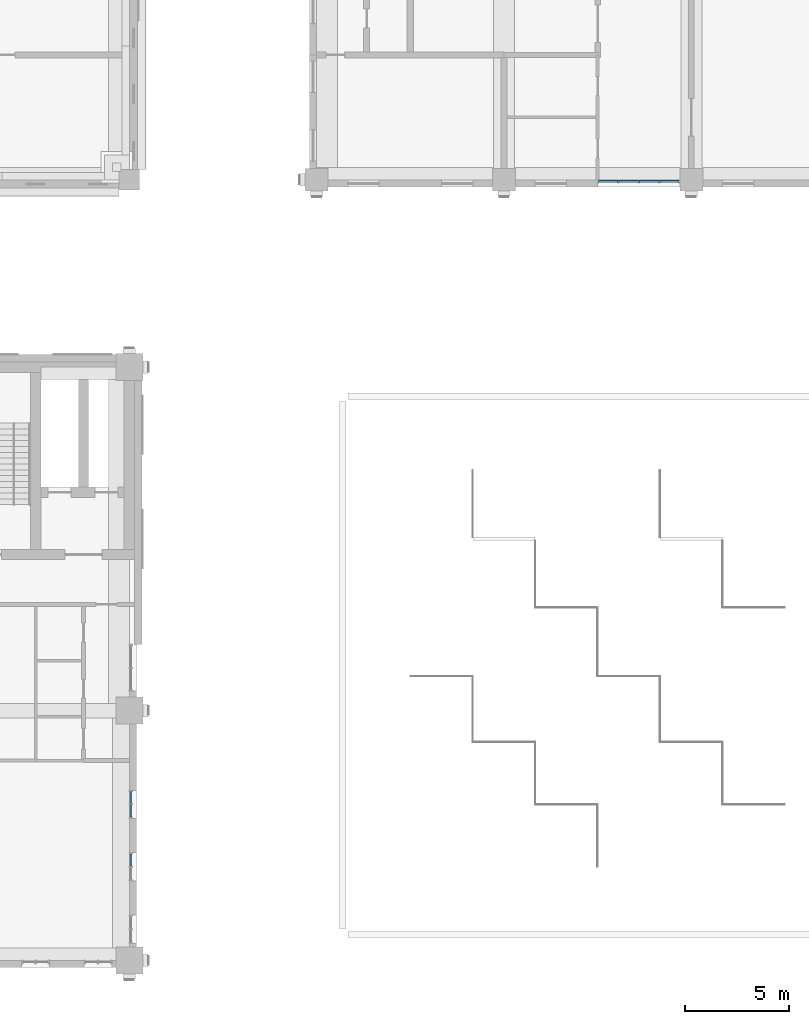
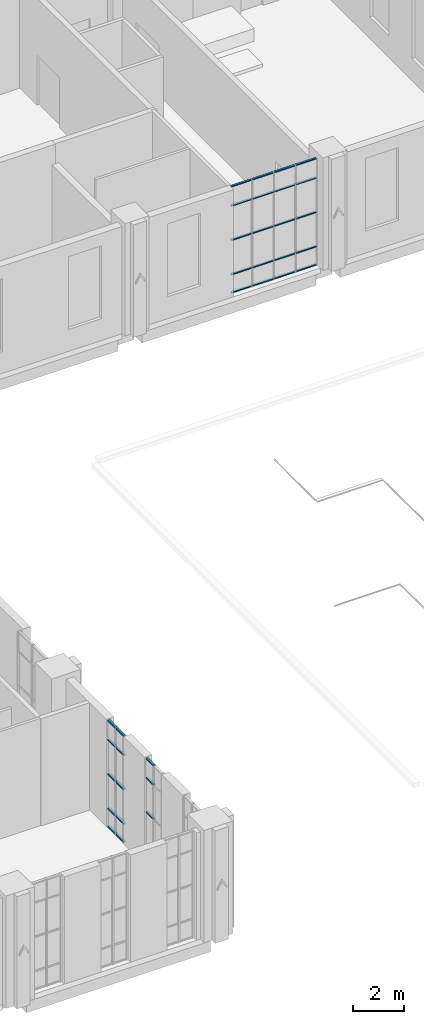
# One storey, part 11 of 37: 33 members, 3 elements without a shape of their own.
"""IFC4 building model written with IfcOpenShell, lengths in metres."""

from ifc_helpers import new_model, si_unit, direction, frame, origin, origin_2d, place, context, subcontext, project, spatial, rectangle, extrude, material, layer, layer_set, material_profile, profile_set, type_object, element, aggregate, save


model = new_model("IFC4")

# Units and contexts
model_context = context("Model", 3, precision=1e-05, world=origin(), true_north=direction((0.0, 1.0)))
body_context = subcontext(model_context, "Body", "Model", "MODEL_VIEW")
ifc_project = project(units=[si_unit("LENGTHUNIT", "METRE"), si_unit("AREAUNIT", "SQUARE_METRE"), si_unit("VOLUMEUNIT", "CUBIC_METRE"), si_unit("PLANEANGLEUNIT", "RADIAN"), si_unit("MASSUNIT", "GRAM", prefix="KILO")], contexts=[model_context])

# Site, building, storey
site_placement = place(None, origin())
site = spatial("IfcSite", under=ifc_project, at=site_placement, CompositionType="ELEMENT")
building_placement = place(site_placement, origin())
building = spatial("IfcBuilding", under=site, at=building_placement, Name="Aurelan Courthouse", CompositionType="ELEMENT")
storey_placement = place(building_placement, frame((0.0, 0.0, 17.39990234375)))
storey = spatial("IfcBuildingStorey", under=building, at=storey_placement, Name="L03", CompositionType="ELEMENT", Elevation=17.39990234375)

# Curtain wall, members
ifc_material_1 = material(Name="Bronze-finished aluminium and glass", Category="aluminium")
ifc_layer_1 = layer(ifc_material_1, 0.14990234375)
ifc_layer_set_1 = layer_set([ifc_layer_1], Name="Bronze-finished aluminium and glass")
curtain_wall_type_1 = type_object("IfcCurtainWallType", Name="Curtain wall 3950 x 5150", PredefinedType="NOTDEFINED", material=ifc_layer_set_1)
curtain_wall_1_placement = place(storey_placement, origin())
curtain_wall_1 = element("IfcCurtainWall", 1, at=curtain_wall_1_placement, inside=storey, type_object=curtain_wall_type_1, Name="Curtain wall CW-V2-L03-S01", PredefinedType="NOTDEFINED")
ifc_material_2 = material(Name="Bronze-finished aluminium", Category="aluminium")
ifc_material_profile_1 = material_profile(ifc_material_2, rectangle(XDim=0.090087890625, YDim=0.050048828125, at=origin_2d()), Name="Bronze transom 50 x 90")
ifc_profile_set_1 = profile_set([ifc_material_profile_1], Name="Bronze-finished aluminium")
member_type_1 = type_object("IfcMemberType", Name="Curtain wall transom 50 x 90", PredefinedType="USERDEFINED", material=ifc_profile_set_1)
member_1_placement = place(storey_placement, frame((49.550048828125, 37.425048828125, 0.025146484375), z_axis=(1.0, 0.0, 0.0), x_axis=(0.0, 1.0, 0.0)))
member_1 = element("IfcMember", 2, at=member_1_placement, type_object=member_type_1, Name="CW-V2-L03-S01 transom 1.1", ObjectType="TRANSOM", PredefinedType="USERDEFINED", context=body_context, shape_type="SweptSolid", body=[
    extrude(rectangle(XDim=0.090087890625, YDim=0.050048828125, at=origin_2d()), origin(), (0.0, 0.0, 1.0), 0.912353515625),
])
member_2_placement = place(storey_placement, frame((49.550048828125, 37.425048828125, 0.900146484375), z_axis=(1.0, 0.0, 0.0), x_axis=(0.0, 1.0, 0.0)))
member_2 = element("IfcMember", 3, at=member_2_placement, type_object=member_type_1, Name="CW-V2-L03-S01 transom 1.2", ObjectType="TRANSOM", PredefinedType="USERDEFINED", context=body_context, shape_type="SweptSolid", body=[
    extrude(rectangle(XDim=0.090087890625, YDim=0.050048828125, at=origin_2d()), origin(), (0.0, 0.0, 1.0), 0.912353515625),
])
member_3_placement = place(storey_placement, frame((49.550048828125, 37.425048828125, 2.550048828125), z_axis=(1.0, 0.0, 0.0), x_axis=(0.0, 1.0, 0.0)))
member_3 = element("IfcMember", 4, at=member_3_placement, type_object=member_type_1, Name="CW-V2-L03-S01 transom 1.3", ObjectType="TRANSOM", PredefinedType="USERDEFINED", context=body_context, shape_type="SweptSolid", body=[
    extrude(rectangle(XDim=0.090087890625, YDim=0.050048828125, at=origin_2d()), origin(), (0.0, 0.0, 1.0), 0.912353515625),
])
member_4_placement = place(storey_placement, frame((49.550048828125, 37.425048828125, 4.2001953125), z_axis=(1.0, 0.0, 0.0), x_axis=(0.0, 1.0, 0.0)))
member_4 = element("IfcMember", 5, at=member_4_placement, type_object=member_type_1, Name="CW-V2-L03-S01 transom 1.4", ObjectType="TRANSOM", PredefinedType="USERDEFINED", context=body_context, shape_type="SweptSolid", body=[
    extrude(rectangle(XDim=0.090087890625, YDim=0.050048828125, at=origin_2d()), origin(), (0.0, 0.0, 1.0), 0.912353515625),
])
member_5_placement = place(storey_placement, frame((49.550048828125, 37.425048828125, 5.125), z_axis=(1.0, 0.0, 0.0), x_axis=(0.0, 1.0, 0.0)))
member_5 = element("IfcMember", 6, at=member_5_placement, type_object=member_type_1, Name="CW-V2-L03-S01 transom 1.5", ObjectType="TRANSOM", PredefinedType="USERDEFINED", context=body_context, shape_type="SweptSolid", body=[
    extrude(rectangle(XDim=0.090087890625, YDim=0.050048828125, at=origin_2d()), origin(), (0.0, 0.0, 1.0), 0.912353515625),
])
member_6_placement = place(storey_placement, frame((50.512451171875, 37.425048828125, 0.025146484375), z_axis=(1.0, 0.0, 0.0), x_axis=(0.0, 1.0, 0.0)))
member_6 = element("IfcMember", 7, at=member_6_placement, type_object=member_type_1, Name="CW-V2-L03-S01 transom 2.1", ObjectType="TRANSOM", PredefinedType="USERDEFINED", context=body_context, shape_type="SweptSolid", body=[
    extrude(rectangle(XDim=0.090087890625, YDim=0.050048828125, at=origin_2d()), origin(), (0.0, 0.0, 1.0), 0.9375),
])
member_7_placement = place(storey_placement, frame((50.512451171875, 37.425048828125, 0.900146484375), z_axis=(1.0, 0.0, 0.0), x_axis=(0.0, 1.0, 0.0)))
member_7 = element("IfcMember", 8, at=member_7_placement, type_object=member_type_1, Name="CW-V2-L03-S01 transom 2.2", ObjectType="TRANSOM", PredefinedType="USERDEFINED", context=body_context, shape_type="SweptSolid", body=[
    extrude(rectangle(XDim=0.090087890625, YDim=0.050048828125, at=origin_2d()), origin(), (0.0, 0.0, 1.0), 0.9375),
])
member_8_placement = place(storey_placement, frame((50.512451171875, 37.425048828125, 2.550048828125), z_axis=(1.0, 0.0, 0.0), x_axis=(0.0, 1.0, 0.0)))
member_8 = element("IfcMember", 9, at=member_8_placement, type_object=member_type_1, Name="CW-V2-L03-S01 transom 2.3", ObjectType="TRANSOM", PredefinedType="USERDEFINED", context=body_context, shape_type="SweptSolid", body=[
    extrude(rectangle(XDim=0.090087890625, YDim=0.050048828125, at=origin_2d()), origin(), (0.0, 0.0, 1.0), 0.9375),
])
member_9_placement = place(storey_placement, frame((50.512451171875, 37.425048828125, 4.2001953125), z_axis=(1.0, 0.0, 0.0), x_axis=(0.0, 1.0, 0.0)))
member_9 = element("IfcMember", 10, at=member_9_placement, type_object=member_type_1, Name="CW-V2-L03-S01 transom 2.4", ObjectType="TRANSOM", PredefinedType="USERDEFINED", context=body_context, shape_type="SweptSolid", body=[
    extrude(rectangle(XDim=0.090087890625, YDim=0.050048828125, at=origin_2d()), origin(), (0.0, 0.0, 1.0), 0.9375),
])
member_10_placement = place(storey_placement, frame((50.512451171875, 37.425048828125, 5.125), z_axis=(1.0, 0.0, 0.0), x_axis=(0.0, 1.0, 0.0)))
member_10 = element("IfcMember", 11, at=member_10_placement, type_object=member_type_1, Name="CW-V2-L03-S01 transom 2.5", ObjectType="TRANSOM", PredefinedType="USERDEFINED", context=body_context, shape_type="SweptSolid", body=[
    extrude(rectangle(XDim=0.090087890625, YDim=0.050048828125, at=origin_2d()), origin(), (0.0, 0.0, 1.0), 0.9375),
])
member_11_placement = place(storey_placement, frame((51.5, 37.425048828125, 0.025146484375), z_axis=(1.0, 0.0, 0.0), x_axis=(0.0, 1.0, 0.0)))
member_11 = element("IfcMember", 12, at=member_11_placement, type_object=member_type_1, Name="CW-V2-L03-S01 transom 3.1", ObjectType="TRANSOM", PredefinedType="USERDEFINED", context=body_context, shape_type="SweptSolid", body=[
    extrude(rectangle(XDim=0.090087890625, YDim=0.050048828125, at=origin_2d()), origin(), (0.0, 0.0, 1.0), 0.9375),
])
member_12_placement = place(storey_placement, frame((51.5, 37.425048828125, 0.900146484375), z_axis=(1.0, 0.0, 0.0), x_axis=(0.0, 1.0, 0.0)))
member_12 = element("IfcMember", 13, at=member_12_placement, type_object=member_type_1, Name="CW-V2-L03-S01 transom 3.2", ObjectType="TRANSOM", PredefinedType="USERDEFINED", context=body_context, shape_type="SweptSolid", body=[
    extrude(rectangle(XDim=0.090087890625, YDim=0.050048828125, at=origin_2d()), origin(), (0.0, 0.0, 1.0), 0.9375),
])
member_13_placement = place(storey_placement, frame((51.5, 37.425048828125, 2.550048828125), z_axis=(1.0, 0.0, 0.0), x_axis=(0.0, 1.0, 0.0)))
member_13 = element("IfcMember", 14, at=member_13_placement, type_object=member_type_1, Name="CW-V2-L03-S01 transom 3.3", ObjectType="TRANSOM", PredefinedType="USERDEFINED", context=body_context, shape_type="SweptSolid", body=[
    extrude(rectangle(XDim=0.090087890625, YDim=0.050048828125, at=origin_2d()), origin(), (0.0, 0.0, 1.0), 0.9375),
])
member_14_placement = place(storey_placement, frame((51.5, 37.425048828125, 4.2001953125), z_axis=(1.0, 0.0, 0.0), x_axis=(0.0, 1.0, 0.0)))
member_14 = element("IfcMember", 15, at=member_14_placement, type_object=member_type_1, Name="CW-V2-L03-S01 transom 3.4", ObjectType="TRANSOM", PredefinedType="USERDEFINED", context=body_context, shape_type="SweptSolid", body=[
    extrude(rectangle(XDim=0.090087890625, YDim=0.050048828125, at=origin_2d()), origin(), (0.0, 0.0, 1.0), 0.9375),
])
member_15_placement = place(storey_placement, frame((51.5, 37.425048828125, 5.125), z_axis=(1.0, 0.0, 0.0), x_axis=(0.0, 1.0, 0.0)))
member_15 = element("IfcMember", 16, at=member_15_placement, type_object=member_type_1, Name="CW-V2-L03-S01 transom 3.5", ObjectType="TRANSOM", PredefinedType="USERDEFINED", context=body_context, shape_type="SweptSolid", body=[
    extrude(rectangle(XDim=0.090087890625, YDim=0.050048828125, at=origin_2d()), origin(), (0.0, 0.0, 1.0), 0.9375),
])
member_16_placement = place(storey_placement, frame((52.487548828125, 37.425048828125, 0.025146484375), z_axis=(1.0, 0.0, 0.0), x_axis=(0.0, 1.0, 0.0)))
member_16 = element("IfcMember", 17, at=member_16_placement, type_object=member_type_1, Name="CW-V2-L03-S01 transom 4.1", ObjectType="TRANSOM", PredefinedType="USERDEFINED", context=body_context, shape_type="SweptSolid", body=[
    extrude(rectangle(XDim=0.090087890625, YDim=0.050048828125, at=origin_2d()), origin(), (0.0, 0.0, 1.0), 0.912353515625),
])
member_17_placement = place(storey_placement, frame((52.487548828125, 37.425048828125, 0.900146484375), z_axis=(1.0, 0.0, 0.0), x_axis=(0.0, 1.0, 0.0)))
member_17 = element("IfcMember", 18, at=member_17_placement, type_object=member_type_1, Name="CW-V2-L03-S01 transom 4.2", ObjectType="TRANSOM", PredefinedType="USERDEFINED", context=body_context, shape_type="SweptSolid", body=[
    extrude(rectangle(XDim=0.090087890625, YDim=0.050048828125, at=origin_2d()), origin(), (0.0, 0.0, 1.0), 0.912353515625),
])
member_18_placement = place(storey_placement, frame((52.487548828125, 37.425048828125, 2.550048828125), z_axis=(1.0, 0.0, 0.0), x_axis=(0.0, 1.0, 0.0)))
member_18 = element("IfcMember", 19, at=member_18_placement, type_object=member_type_1, Name="CW-V2-L03-S01 transom 4.3", ObjectType="TRANSOM", PredefinedType="USERDEFINED", context=body_context, shape_type="SweptSolid", body=[
    extrude(rectangle(XDim=0.090087890625, YDim=0.050048828125, at=origin_2d()), origin(), (0.0, 0.0, 1.0), 0.912353515625),
])
member_19_placement = place(storey_placement, frame((52.487548828125, 37.425048828125, 4.2001953125), z_axis=(1.0, 0.0, 0.0), x_axis=(0.0, 1.0, 0.0)))
member_19 = element("IfcMember", 20, at=member_19_placement, type_object=member_type_1, Name="CW-V2-L03-S01 transom 4.4", ObjectType="TRANSOM", PredefinedType="USERDEFINED", context=body_context, shape_type="SweptSolid", body=[
    extrude(rectangle(XDim=0.090087890625, YDim=0.050048828125, at=origin_2d()), origin(), (0.0, 0.0, 1.0), 0.912353515625),
])
member_20_placement = place(storey_placement, frame((52.487548828125, 37.425048828125, 5.125), z_axis=(1.0, 0.0, 0.0), x_axis=(0.0, 1.0, 0.0)))
member_20 = element("IfcMember", 21, at=member_20_placement, type_object=member_type_1, Name="CW-V2-L03-S01 transom 4.5", ObjectType="TRANSOM", PredefinedType="USERDEFINED", context=body_context, shape_type="SweptSolid", body=[
    extrude(rectangle(XDim=0.090087890625, YDim=0.050048828125, at=origin_2d()), origin(), (0.0, 0.0, 1.0), 0.912353515625),
])
aggregate(curtain_wall_1, [member_1, member_2, member_3, member_4, member_5, member_6, member_7, member_8, member_9, member_10, member_11, member_12, member_13, member_14, member_15, member_16, member_17, member_18, member_19, member_20])

ifc_layer_2 = layer(ifc_material_1, 0.14990234375)
ifc_layer_set_2 = layer_set([ifc_layer_2], Name="Bronze-finished aluminium and glass")
curtain_wall_type_2 = type_object("IfcCurtainWallType", Name="Curtain wall 1350 x 5150", PredefinedType="NOTDEFINED", material=ifc_layer_set_2)
curtain_wall_2_placement = place(storey_placement, origin())
curtain_wall_2 = element("IfcCurtainWall", 22, at=curtain_wall_2_placement, inside=storey, type_object=curtain_wall_type_2, Name="Curtain wall CW-V5-L03-E02", PredefinedType="NOTDEFINED")
ifc_material_profile_2 = material_profile(ifc_material_2, rectangle(XDim=0.10009765625, YDim=0.06005859375, at=origin_2d()), Name="Bronze transom 60 x 100")
ifc_profile_set_2 = profile_set([ifc_material_profile_2], Name="Bronze-finished aluminium")
member_type_2 = type_object("IfcMemberType", Name="Curtain wall transom 60 x 100", PredefinedType="USERDEFINED", material=ifc_profile_set_2)
member_21_placement = place(storey_placement, frame((27.074951171875, 4.530029296875, 2.550048828125), z_axis=(0.0, 1.0, 0.0), x_axis=(-1.0, 0.0, 0.0)))
member_21 = element("IfcMember", 23, at=member_21_placement, type_object=member_type_2, Name="CW-V5-L03-E02 transom 2.3", ObjectType="TRANSOM", PredefinedType="USERDEFINED", context=body_context, shape_type="SweptSolid", body=[
    extrude(rectangle(XDim=0.10009765625, YDim=0.06005859375, at=origin_2d()), origin(), (0.0, 0.0, 1.0), 0.5849609375),
])
member_22_placement = place(storey_placement, frame((27.074951171875, 4.530029296875, 4.2001953125), z_axis=(0.0, 1.0, 0.0), x_axis=(-1.0, 0.0, 0.0)))
member_22 = element("IfcMember", 24, at=member_22_placement, type_object=member_type_2, Name="CW-V5-L03-E02 transom 2.4", ObjectType="TRANSOM", PredefinedType="USERDEFINED", context=body_context, shape_type="SweptSolid", body=[
    extrude(rectangle(XDim=0.10009765625, YDim=0.06005859375, at=origin_2d()), origin(), (0.0, 0.0, 1.0), 0.5849609375),
])
member_23_placement = place(storey_placement, frame((27.074951171875, 4.530029296875, 5.1201171875), z_axis=(0.0, 1.0, 0.0), x_axis=(-1.0, 0.0, 0.0)))
member_23 = element("IfcMember", 25, at=member_23_placement, type_object=member_type_2, Name="CW-V5-L03-E02 transom 2.5", ObjectType="TRANSOM", PredefinedType="USERDEFINED", context=body_context, shape_type="SweptSolid", body=[
    extrude(rectangle(XDim=0.10009765625, YDim=0.06005859375, at=origin_2d()), origin(), (0.0, 0.0, 1.0), 0.5849609375),
])
aggregate(curtain_wall_2, [member_21, member_22, member_23])

curtain_wall_3_placement = place(storey_placement, origin())
curtain_wall_3 = element("IfcCurtainWall", 26, at=curtain_wall_3_placement, inside=storey, type_object=curtain_wall_type_2, Name="Curtain wall CW-V5-L03-E03", PredefinedType="NOTDEFINED")
member_24_placement = place(storey_placement, frame((27.074951171875, 6.885009765625, 0.030029296875), z_axis=(0.0, 1.0, 0.0), x_axis=(-1.0, 0.0, 0.0)))
member_24 = element("IfcMember", 27, at=member_24_placement, type_object=member_type_2, Name="CW-V5-L03-E03 transom 1.1", ObjectType="TRANSOM", PredefinedType="USERDEFINED", context=body_context, shape_type="SweptSolid", body=[
    extrude(rectangle(XDim=0.10009765625, YDim=0.06005859375, at=origin_2d()), origin(), (0.0, 0.0, 1.0), 0.5849609375),
])
member_25_placement = place(storey_placement, frame((27.074951171875, 6.885009765625, 0.900146484375), z_axis=(0.0, 1.0, 0.0), x_axis=(-1.0, 0.0, 0.0)))
member_25 = element("IfcMember", 28, at=member_25_placement, type_object=member_type_2, Name="CW-V5-L03-E03 transom 1.2", ObjectType="TRANSOM", PredefinedType="USERDEFINED", context=body_context, shape_type="SweptSolid", body=[
    extrude(rectangle(XDim=0.10009765625, YDim=0.06005859375, at=origin_2d()), origin(), (0.0, 0.0, 1.0), 0.5849609375),
])
member_26_placement = place(storey_placement, frame((27.074951171875, 6.885009765625, 2.550048828125), z_axis=(0.0, 1.0, 0.0), x_axis=(-1.0, 0.0, 0.0)))
member_26 = element("IfcMember", 29, at=member_26_placement, type_object=member_type_2, Name="CW-V5-L03-E03 transom 1.3", ObjectType="TRANSOM", PredefinedType="USERDEFINED", context=body_context, shape_type="SweptSolid", body=[
    extrude(rectangle(XDim=0.10009765625, YDim=0.06005859375, at=origin_2d()), origin(), (0.0, 0.0, 1.0), 0.5849609375),
])
member_27_placement = place(storey_placement, frame((27.074951171875, 6.885009765625, 4.2001953125), z_axis=(0.0, 1.0, 0.0), x_axis=(-1.0, 0.0, 0.0)))
member_27 = element("IfcMember", 30, at=member_27_placement, type_object=member_type_2, Name="CW-V5-L03-E03 transom 1.4", ObjectType="TRANSOM", PredefinedType="USERDEFINED", context=body_context, shape_type="SweptSolid", body=[
    extrude(rectangle(XDim=0.10009765625, YDim=0.06005859375, at=origin_2d()), origin(), (0.0, 0.0, 1.0), 0.5849609375),
])
member_28_placement = place(storey_placement, frame((27.074951171875, 6.885009765625, 5.1201171875), z_axis=(0.0, 1.0, 0.0), x_axis=(-1.0, 0.0, 0.0)))
member_28 = element("IfcMember", 31, at=member_28_placement, type_object=member_type_2, Name="CW-V5-L03-E03 transom 1.5", ObjectType="TRANSOM", PredefinedType="USERDEFINED", context=body_context, shape_type="SweptSolid", body=[
    extrude(rectangle(XDim=0.10009765625, YDim=0.06005859375, at=origin_2d()), origin(), (0.0, 0.0, 1.0), 0.5849609375),
])
member_29_placement = place(storey_placement, frame((27.074951171875, 7.530029296875, 0.030029296875), z_axis=(0.0, 1.0, 0.0), x_axis=(-1.0, 0.0, 0.0)))
member_29 = element("IfcMember", 32, at=member_29_placement, type_object=member_type_2, Name="CW-V5-L03-E03 transom 2.1", ObjectType="TRANSOM", PredefinedType="USERDEFINED", context=body_context, shape_type="SweptSolid", body=[
    extrude(rectangle(XDim=0.10009765625, YDim=0.06005859375, at=origin_2d()), origin(), (0.0, 0.0, 1.0), 0.5849609375),
])
member_30_placement = place(storey_placement, frame((27.074951171875, 7.530029296875, 0.900146484375), z_axis=(0.0, 1.0, 0.0), x_axis=(-1.0, 0.0, 0.0)))
member_30 = element("IfcMember", 33, at=member_30_placement, type_object=member_type_2, Name="CW-V5-L03-E03 transom 2.2", ObjectType="TRANSOM", PredefinedType="USERDEFINED", context=body_context, shape_type="SweptSolid", body=[
    extrude(rectangle(XDim=0.10009765625, YDim=0.06005859375, at=origin_2d()), origin(), (0.0, 0.0, 1.0), 0.5849609375),
])
member_31_placement = place(storey_placement, frame((27.074951171875, 7.530029296875, 2.550048828125), z_axis=(0.0, 1.0, 0.0), x_axis=(-1.0, 0.0, 0.0)))
member_31 = element("IfcMember", 34, at=member_31_placement, type_object=member_type_2, Name="CW-V5-L03-E03 transom 2.3", ObjectType="TRANSOM", PredefinedType="USERDEFINED", context=body_context, shape_type="SweptSolid", body=[
    extrude(rectangle(XDim=0.10009765625, YDim=0.06005859375, at=origin_2d()), origin(), (0.0, 0.0, 1.0), 0.5849609375),
])
member_32_placement = place(storey_placement, frame((27.074951171875, 7.530029296875, 4.2001953125), z_axis=(0.0, 1.0, 0.0), x_axis=(-1.0, 0.0, 0.0)))
member_32 = element("IfcMember", 35, at=member_32_placement, type_object=member_type_2, Name="CW-V5-L03-E03 transom 2.4", ObjectType="TRANSOM", PredefinedType="USERDEFINED", context=body_context, shape_type="SweptSolid", body=[
    extrude(rectangle(XDim=0.10009765625, YDim=0.06005859375, at=origin_2d()), origin(), (0.0, 0.0, 1.0), 0.5849609375),
])
member_33_placement = place(storey_placement, frame((27.074951171875, 7.530029296875, 5.1201171875), z_axis=(0.0, 1.0, 0.0), x_axis=(-1.0, 0.0, 0.0)))
member_33 = element("IfcMember", 36, at=member_33_placement, type_object=member_type_2, Name="CW-V5-L03-E03 transom 2.5", ObjectType="TRANSOM", PredefinedType="USERDEFINED", context=body_context, shape_type="SweptSolid", body=[
    extrude(rectangle(XDim=0.10009765625, YDim=0.06005859375, at=origin_2d()), origin(), (0.0, 0.0, 1.0), 0.5849609375),
])
aggregate(curtain_wall_3, [member_24, member_25, member_26, member_27, member_28, member_29, member_30, member_31, member_32, member_33])

save(model, "model.ifc")
